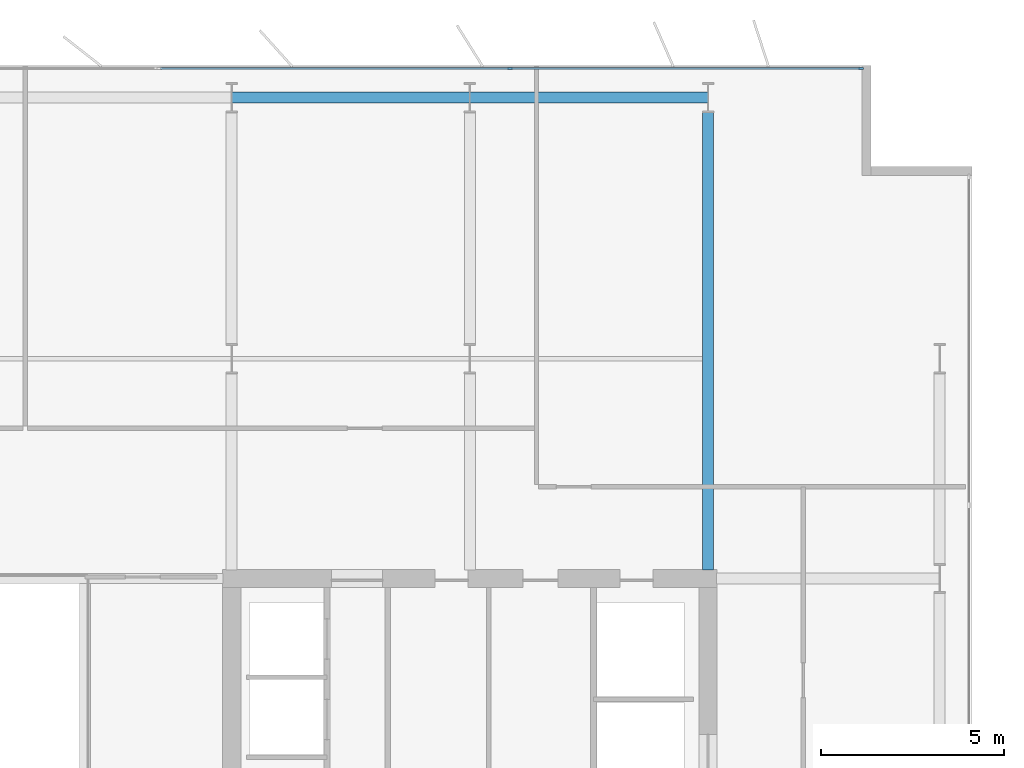
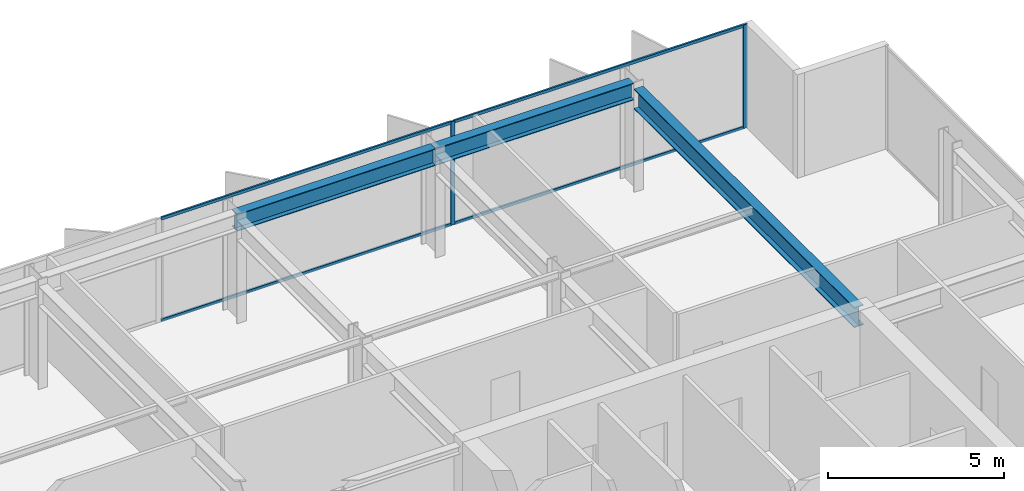
# One storey, part 13 of 24: 6 members, 3 beams, 1 element without a shape of its own.
"""IFC4 building model written with IfcOpenShell, lengths in metres."""

from ifc_helpers import new_model, si_unit, direction, frame, origin, origin_2d, place, context, subcontext, project, spatial, rectangle, i_section, extrude, material, layer, layer_set, material_profile, profile_set, type_object, element, aggregate, save


model = new_model("IFC4")

# Units and contexts
model_context = context("Model", 3, precision=1e-05, world=origin(), true_north=direction((0.0, 1.0)))
body_context = subcontext(model_context, "Body", "Model", "MODEL_VIEW")
ifc_project = project(units=[si_unit("LENGTHUNIT", "METRE"), si_unit("AREAUNIT", "SQUARE_METRE"), si_unit("VOLUMEUNIT", "CUBIC_METRE"), si_unit("PLANEANGLEUNIT", "RADIAN"), si_unit("MASSUNIT", "GRAM", prefix="KILO")], contexts=[model_context])

# Site, building, storey
site_placement = place(None, origin())
site = spatial("IfcSite", under=ifc_project, at=site_placement, CompositionType="ELEMENT")
building_placement = place(site_placement, origin())
building = spatial("IfcBuilding", under=site, at=building_placement, Name="Putna Gate Headquarters", CompositionType="ELEMENT")
storey_placement = place(building_placement, frame((0.0, 0.0, 240.39990234375)))
storey = spatial("IfcBuildingStorey", under=building, at=storey_placement, Name="L60", CompositionType="ELEMENT", Elevation=240.39990234375)

# Beams
ifc_material_1 = material(Name="Steel S355J2", Category="steel")
ifc_material_profile_1 = material_profile(ifc_material_1, i_section(OverallWidth=0.300048828125, OverallDepth=0.699951171875, WebThickness=0.01708984375, FlangeThickness=0.031982421875, at=origin_2d()), Name="Steel S355J2")
ifc_profile_set_1 = profile_set([ifc_material_profile_1], Name="Steel S355J2")
beam_type_1 = type_object("IfcBeamType", Name="BM-GIRD-B-HEB700", PredefinedType="USERDEFINED", material=ifc_profile_set_1)
beam_placement = place(storey_placement, frame((65.0, 33.235107421875, 3.22998046875), z_axis=(0.0, 1.0, 0.0), x_axis=(-1.0, 0.0, 0.0)))
element("IfcBeam", 1, at=beam_placement, inside=storey, type_object=beam_type_1, Name="L60 North Primary Girder X65", ObjectType="GIRDER", PredefinedType="USERDEFINED", context=body_context, shape_type="SweptSolid", body=[
    extrude(i_section(OverallWidth=0.300048828125, OverallDepth=0.699951171875, WebThickness=0.01708984375, FlangeThickness=0.031982421875, at=origin_2d()), origin(), (0.0, 0.0, 1.0), 12.489990234375),
])
ifc_material_profile_2 = material_profile(ifc_material_1, i_section(OverallWidth=0.300048828125, OverallDepth=0.590087890625, WebThickness=0.012939453125, FlangeThickness=0.02490234375, at=origin_2d()), Name="Steel S355J2")
ifc_profile_set_2 = profile_set([ifc_material_profile_2], Name="Steel S355J2")
beam_type_2 = type_object("IfcBeamType", Name="BM-SPAN-Z4-HEA600", PredefinedType="SPANDREL", material=ifc_profile_set_2)
for number, where, z_axis, x_axis, name in (
    (2, (52.006103515625, 46.1201171875, 3.28515625), (1.0, 0.0, 0.0), (0.0, 1.0, 0.0), "L60 N Perimeter Spandrel 7"),
    (3, (58.506103515625, 46.1201171875, 3.28515625), (1.0, 0.0, 0.0), (0.0, 1.0, 0.0), "L60 N Perimeter Spandrel 8"),
):
    element("IfcBeam", number, at=place(storey_placement, frame(where, z_axis=z_axis, x_axis=x_axis)), inside=storey, type_object=beam_type_2, Name=name, PredefinedType="SPANDREL", context=body_context, shape_type="SweptSolid", body=[
        extrude(i_section(OverallWidth=0.300048828125, OverallDepth=0.590087890625, WebThickness=0.012939453125, FlangeThickness=0.02490234375, at=origin_2d()), origin(), (0.0, 0.0, 1.0), 6.48779296875),
    ])

# Curtain wall, members
ifc_material_2 = material(Name="Anodised bronze aluminium curtain wall", Category="aluminium")
ifc_layer = layer(ifc_material_2, 0.139892578125)
ifc_layer_set = layer_set([ifc_layer], Name="Anodised bronze aluminium curtain wall")
curtain_wall_type = type_object("IfcCurtainWallType", Name="CW-SYS-Z4", PredefinedType="USERDEFINED", material=ifc_layer_set)
curtain_wall_placement = place(storey_placement, origin())
curtain_wall = element("IfcCurtainWall", 4, at=curtain_wall_placement, inside=storey, type_object=curtain_wall_type, Name="L60 North East Curtain Wall", ObjectType="STICK CURTAIN WALL", PredefinedType="USERDEFINED")
ifc_material_3 = material(Name="Anodised bronze aluminium EN AW-6060", Category="aluminium")
ifc_material_profile_3 = material_profile(ifc_material_3, rectangle(XDim=0.06005859375, YDim=0.139892578125, at=origin_2d()), Name="Anodised bronze aluminium EN AW-6060")
ifc_profile_set_3 = profile_set([ifc_material_profile_3], Name="Anodised bronze aluminium EN AW-6060")
member_type_1 = type_object("IfcMemberType", Name="MULL-CWM-4", PredefinedType="MULLION", material=ifc_profile_set_3)
member_1_placement = place(storey_placement, frame((59.60009765625, 46.919921875, 0.0), z_axis=(0.0, 0.0, 1.0), x_axis=(0.0, 1.0, 0.0)))
member_1 = element("IfcMember", 5, at=member_1_placement, type_object=member_type_1, Name="CWS-4 mullion 2", PredefinedType="MULLION", context=body_context, shape_type="SweptSolid", body=[
    extrude(rectangle(XDim=0.06005859375, YDim=0.139892578125, at=origin_2d()), origin(), (0.0, 0.0, 1.0), 3.580078125),
])
member_2_placement = place(storey_placement, frame((69.169921875, 46.919921875, 0.0), z_axis=(0.0, 0.0, 1.0), x_axis=(0.0, 1.0, 0.0)))
member_2 = element("IfcMember", 6, at=member_2_placement, type_object=member_type_1, Name="CWS-4 mullion 3", PredefinedType="MULLION", context=body_context, shape_type="SweptSolid", body=[
    extrude(rectangle(XDim=0.06005859375, YDim=0.139892578125, at=origin_2d()), origin(), (0.0, 0.0, 1.0), 3.580078125),
])
ifc_material_profile_4 = material_profile(ifc_material_3, rectangle(XDim=0.06005859375, YDim=0.10009765625, at=origin_2d()), Name="Anodised bronze aluminium EN AW-6060")
ifc_profile_set_4 = profile_set([ifc_material_profile_4], Name="Anodised bronze aluminium EN AW-6060")
member_type_2 = type_object("IfcMemberType", Name="TRAN-CWT-4", PredefinedType="USERDEFINED", material=ifc_profile_set_4)
member_3_placement = place(storey_placement, frame((50.06005859375, 46.919921875, 0.030029296875), z_axis=(1.0, 0.0, 0.0), x_axis=(0.0, 1.0, 0.0)))
member_3 = element("IfcMember", 7, at=member_3_placement, type_object=member_type_2, Name="CWS-4 transom 1.1", ObjectType="TRANSOM", PredefinedType="USERDEFINED", context=body_context, shape_type="SweptSolid", body=[
    extrude(rectangle(XDim=0.06005859375, YDim=0.10009765625, at=origin_2d()), origin(), (0.0, 0.0, 1.0), 9.510009765625),
])
member_4_placement = place(storey_placement, frame((50.06005859375, 46.919921875, 3.550048828125), z_axis=(1.0, 0.0, 0.0), x_axis=(0.0, 1.0, 0.0)))
member_4 = element("IfcMember", 8, at=member_4_placement, type_object=member_type_2, Name="CWS-4 transom 1.2", ObjectType="TRANSOM", PredefinedType="USERDEFINED", context=body_context, shape_type="SweptSolid", body=[
    extrude(rectangle(XDim=0.06005859375, YDim=0.10009765625, at=origin_2d()), origin(), (0.0, 0.0, 1.0), 9.510009765625),
])
member_5_placement = place(storey_placement, frame((59.6298828125, 46.919921875, 0.030029296875), z_axis=(1.0, 0.0, 0.0), x_axis=(0.0, 1.0, 0.0)))
member_5 = element("IfcMember", 9, at=member_5_placement, type_object=member_type_2, Name="CWS-4 transom 2.1", ObjectType="TRANSOM", PredefinedType="USERDEFINED", context=body_context, shape_type="SweptSolid", body=[
    extrude(rectangle(XDim=0.06005859375, YDim=0.10009765625, at=origin_2d()), origin(), (0.0, 0.0, 1.0), 9.510009765625),
])
member_6_placement = place(storey_placement, frame((59.6298828125, 46.919921875, 3.550048828125), z_axis=(1.0, 0.0, 0.0), x_axis=(0.0, 1.0, 0.0)))
member_6 = element("IfcMember", 10, at=member_6_placement, type_object=member_type_2, Name="CWS-4 transom 2.2", ObjectType="TRANSOM", PredefinedType="USERDEFINED", context=body_context, shape_type="SweptSolid", body=[
    extrude(rectangle(XDim=0.06005859375, YDim=0.10009765625, at=origin_2d()), origin(), (0.0, 0.0, 1.0), 9.510009765625),
])
aggregate(curtain_wall, [member_1, member_2, member_3, member_4, member_5, member_6])

save(model, "model.ifc")
